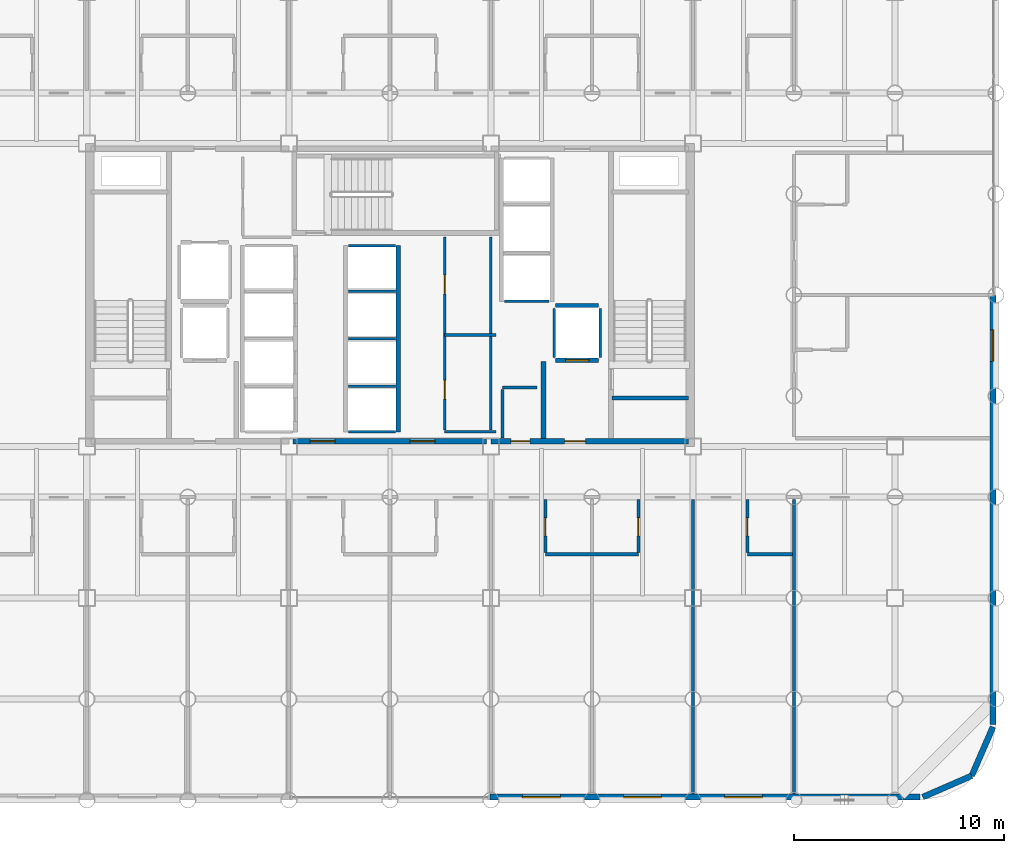
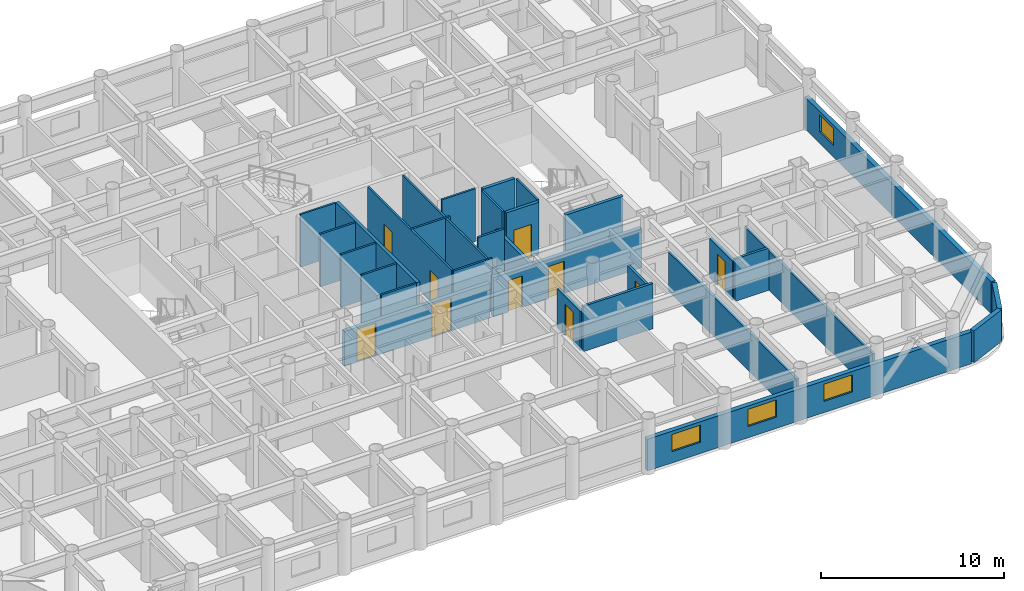
# One storey, part 18 of 22: 32 walls, 10 doors, 4 windows, 14 openings.
"""IFC4 building model written with IfcOpenShell, lengths in metres."""

from ifc_helpers import new_model, si_unit, direction, frame, frame_2d, origin, place, context, subcontext, project, spatial, rectangle, extrude, material, layer, layer_set, type_object, element, fill, save


model = new_model("IFC4")

# Units and contexts
model_context = context("Model", 3, precision=1e-05, world=origin(), true_north=direction((0.0, 1.0)))
body_context = subcontext(model_context, "Body", "Model", "MODEL_VIEW")
ifc_project = project(units=[si_unit("LENGTHUNIT", "METRE"), si_unit("AREAUNIT", "SQUARE_METRE"), si_unit("VOLUMEUNIT", "CUBIC_METRE"), si_unit("PLANEANGLEUNIT", "RADIAN"), si_unit("MASSUNIT", "GRAM", prefix="KILO")], contexts=[model_context])

# Site, building, storey
site_placement = place(None, origin())
site = spatial("IfcSite", under=ifc_project, at=site_placement, CompositionType="ELEMENT")
building_placement = place(site_placement, origin())
building = spatial("IfcBuilding", under=site, at=building_placement, Name="Kallvorn Hotel Tower", CompositionType="ELEMENT")
storey_placement = place(building_placement, frame((0.0, 0.0, 33.699951171875)))
storey = spatial("IfcBuildingStorey", under=building, at=storey_placement, Name="L06", CompositionType="ELEMENT", Elevation=33.699951171875)

# Walls
ifc_material_1 = material(Name="Fire-rated double-layer acoustic gypsum drywall EI 60")
ifc_layer_1 = layer(ifc_material_1, 0.159912109375)
ifc_layer_set_1 = layer_set([ifc_layer_1], Name="WL_DEMISE_160")
wall_type_1 = type_object("IfcWallType", Name="WL_DEMISE_160", PredefinedType="PARTITIONING", material=ifc_layer_set_1)
wall_1_placement = place(storey_placement, frame((7.389892578125, -12.320068359375, 0.0), z_axis=(0.0, 0.0, 1.0), x_axis=(1.0, 0.0, 0.0)))
element("IfcWall", 1, at=wall_1_placement, inside=storey, type_object=wall_type_1, Name="L06 Suite 611 Superior Twin Room Partition", PredefinedType="PARTITIONING", context=body_context, shape_type="SweptSolid", body=[
    extrude(rectangle(XDim=4.420166015625, YDim=0.159912109375, at=frame_2d((2.2099609375, 0.0))), origin(), (0.0, 0.0, 1.0), 3.02001953125),
])
wall_2_placement = place(storey_placement, frame((16.989990234375, -12.320068359375, 0.0), z_axis=(0.0, 0.0, 1.0), x_axis=(1.0, 0.0, 0.0)))
element("IfcWall", 2, at=wall_2_placement, inside=storey, type_object=wall_type_1, Name="L06 Suite 613 Superior Twin Room Partition", PredefinedType="PARTITIONING", context=body_context, shape_type="SweptSolid", body=[
    extrude(rectangle(XDim=2.130126953125, YDim=0.159912109375, at=frame_2d((1.06494140625, 0.0))), origin(), (0.0, 0.0, 1.0), 2.820068359375),
])

# Wall, opening, door
wall_3_placement = place(storey_placement, frame((7.389892578125, -12.235107421875, 0.0), z_axis=(0.0, 0.0, 1.0), x_axis=(0.0, 1.0, 0.0)))
wall_3 = element("IfcWall", 3, at=wall_3_placement, inside=storey, type_object=wall_type_1, Name="L06 Suite 611 Superior Twin Room Partition", PredefinedType="PARTITIONING", context=body_context, shape_type="SweptSolid", body=[
    extrude(rectangle(XDim=2.51513671875, YDim=0.159912109375, at=frame_2d((1.257568359375, 0.0))), origin(), (0.0, 0.0, 1.0), 2.6201171875),
])
opening_1_placement = place(wall_3_placement, frame((0.784912109375, 0.0, 0.0)))
opening_1 = element("IfcOpeningElement", 4, at=opening_1_placement, cuts=wall_3, Name="Opening BD-I", PredefinedType="OPENING", context=body_context, shape_type="SweptSolid", body=[
    extrude(rectangle(XDim=0.860107421875, YDim=2.10009765625, at=frame_2d((0.43017578125, 1.050048828125))), frame((0.0, 0.094970703125, 0.0), z_axis=(0.0, -1.0, 0.0), x_axis=(1.0, 0.0, 0.0)), (0.0, 0.0, 1.0), 0.18994140625),
])
ifc_material_2 = material(Name="Solid-core walnut veneer fire-rated timber door leaf", Category="wood")
door_type_1 = type_object("IfcDoorType", Name="DR_BATH_860x2100", OperationType="NOTDEFINED", PredefinedType="DOOR", material=ifc_material_2)
door_1_placement = place(opening_1_placement, origin())
door_1 = element("IfcDoor", 5, at=door_1_placement, inside=storey, type_object=door_type_1, Name="L06 Suite 611 En-Suite Bathroom Door", OperationType="SINGLE_SWING_RIGHT", OverallHeight=2.10009765625, OverallWidth=0.860107421875, PredefinedType="DOOR", context=body_context, shape_type="SweptSolid", body=[
    extrude(rectangle(XDim=0.860107421875, YDim=2.10009765625, at=frame_2d((0.43017578125, 1.050048828125))), frame((0.0, 0.02490234375, 0.0), z_axis=(0.0, -1.0, 0.0), x_axis=(1.0, 0.0, 0.0)), (0.0, 0.0, 1.0), 0.050048828125),
])
fill(opening_1, door_1)

wall_4_placement = place(storey_placement, frame((11.81005859375, -12.235107421875, 0.0), z_axis=(0.0, 0.0, 1.0), x_axis=(0.0, 1.0, 0.0)))
wall_4 = element("IfcWall", 6, at=wall_4_placement, inside=storey, type_object=wall_type_1, Name="L06 Suite 612 Superior Twin Room Partition", PredefinedType="PARTITIONING", context=body_context, shape_type="SweptSolid", body=[
    extrude(rectangle(XDim=2.51513671875, YDim=0.159912109375, at=frame_2d((1.257568359375, 0.0))), origin(), (0.0, 0.0, 1.0), 2.6201171875),
])
opening_2_placement = place(wall_4_placement, frame((0.784912109375, 0.0, 0.0)))
opening_2 = element("IfcOpeningElement", 7, at=opening_2_placement, cuts=wall_4, Name="Opening BD-I", PredefinedType="OPENING", context=body_context, shape_type="SweptSolid", body=[
    extrude(rectangle(XDim=0.860107421875, YDim=2.10009765625, at=frame_2d((0.43017578125, 1.050048828125))), frame((0.0, 0.094970703125, 0.0), z_axis=(0.0, -1.0, 0.0), x_axis=(1.0, 0.0, 0.0)), (0.0, 0.0, 1.0), 0.18994140625),
])
door_2_placement = place(opening_2_placement, origin())
door_2 = element("IfcDoor", 8, at=door_2_placement, inside=storey, type_object=door_type_1, Name="L06 Suite 612 En-Suite Bathroom Door", OperationType="SINGLE_SWING_RIGHT", OverallHeight=2.10009765625, OverallWidth=0.860107421875, PredefinedType="DOOR", context=body_context, shape_type="SweptSolid", body=[
    extrude(rectangle(XDim=0.860107421875, YDim=2.10009765625, at=frame_2d((0.43017578125, 1.050048828125))), frame((0.0, 0.02490234375, 0.0), z_axis=(0.0, -1.0, 0.0), x_axis=(1.0, 0.0, 0.0)), (0.0, 0.0, 1.0), 0.050048828125),
])
fill(opening_2, door_2)

# Wall
wall_5_placement = place(storey_placement, frame((14.39990234375, -23.7099609375, 0.0), z_axis=(0.0, 0.0, 1.0), x_axis=(0.0, 1.0, 0.0)))
element("IfcWall", 9, at=wall_5_placement, inside=storey, type_object=wall_type_1, Name="L06 Suite 612 Superior Twin Room Partition", PredefinedType="PARTITIONING", context=body_context, shape_type="SweptSolid", body=[
    extrude(rectangle(XDim=13.989990234375, YDim=0.159912109375, at=frame_2d((6.9951171875, 0.0))), origin(), (0.0, 0.0, 1.0), 2.6201171875),
])

# Wall, opening, door
wall_6_placement = place(storey_placement, frame((16.989990234375, -12.235107421875, 0.0), z_axis=(0.0, 0.0, 1.0), x_axis=(0.0, 1.0, 0.0)))
wall_6 = element("IfcWall", 10, at=wall_6_placement, inside=storey, type_object=wall_type_1, Name="L06 Suite 613 Superior Twin Room Partition", PredefinedType="PARTITIONING", context=body_context, shape_type="SweptSolid", body=[
    extrude(rectangle(XDim=2.51513671875, YDim=0.159912109375, at=frame_2d((1.257568359375, 0.0))), origin(), (0.0, 0.0, 1.0), 2.6201171875),
])
opening_3_placement = place(wall_6_placement, frame((0.784912109375, 0.0, 0.0)))
opening_3 = element("IfcOpeningElement", 11, at=opening_3_placement, cuts=wall_6, Name="Opening BD-I", PredefinedType="OPENING", context=body_context, shape_type="SweptSolid", body=[
    extrude(rectangle(XDim=0.860107421875, YDim=2.10009765625, at=frame_2d((0.43017578125, 1.050048828125))), frame((0.0, 0.094970703125, 0.0), z_axis=(0.0, -1.0, 0.0), x_axis=(1.0, 0.0, 0.0)), (0.0, 0.0, 1.0), 0.18994140625),
])
door_3_placement = place(opening_3_placement, origin())
door_3 = element("IfcDoor", 12, at=door_3_placement, inside=storey, type_object=door_type_1, Name="L06 Suite 613 En-Suite Bathroom Door", OperationType="SINGLE_SWING_RIGHT", OverallHeight=2.10009765625, OverallWidth=0.860107421875, PredefinedType="DOOR", context=body_context, shape_type="SweptSolid", body=[
    extrude(rectangle(XDim=0.860107421875, YDim=2.10009765625, at=frame_2d((0.43017578125, 1.050048828125))), frame((0.0, 0.02490234375, 0.0), z_axis=(0.0, -1.0, 0.0), x_axis=(1.0, 0.0, 0.0)), (0.0, 0.0, 1.0), 0.050048828125),
])
fill(opening_3, door_3)

# Walls
wall_7_placement = place(storey_placement, frame((19.199951171875, -23.7099609375, 0.0), z_axis=(0.0, 0.0, 1.0), x_axis=(0.0, 1.0, 0.0)))
element("IfcWall", 13, at=wall_7_placement, inside=storey, type_object=wall_type_1, Name="L06 Suite 613 Superior Twin Room Partition", PredefinedType="PARTITIONING", context=body_context, shape_type="SweptSolid", body=[
    extrude(rectangle(XDim=13.989990234375, YDim=0.159912109375, at=frame_2d((6.9951171875, 0.0))), origin(), (0.0, 0.0, 1.0), 2.6201171875),
])
ifc_material_3 = material(Name="Precast basalt-clad insulated concrete wall C40/50", Category="masonry")
ifc_layer_2 = layer(ifc_material_3, 0.280029296875)
ifc_layer_set_2 = layer_set([ifc_layer_2], Name="WL_EXT_LOGGIA_280")
wall_type_2 = type_object("IfcWallType", Name="WL_EXT_LOGGIA_280", PredefinedType="SOLIDWALL", material=ifc_layer_set_2)
wall_8_placement = place(storey_placement, frame((25.32080078125, -23.85791015625, 0.0), z_axis=(0.0, 0.0, 1.0), x_axis=(0.917060872934, 0.398747232384, 0.0)))
element("IfcWall", 14, at=wall_8_placement, inside=storey, type_object=wall_type_2, Name="L06 Rounded Corner Exterior Wall SE1", PredefinedType="SOLIDWALL", context=body_context, shape_type="SweptSolid", body=[
    extrude(rectangle(XDim=2.5361328125, YDim=0.280029296875, at=frame_2d((1.26806640625, 0.0))), origin(), (0.0, 0.0, 1.0), 2.1201171875),
])
wall_9_placement = place(storey_placement, frame((27.646484375, -22.8466796875, 0.0), z_axis=(0.0, 0.0, 1.0), x_axis=(0.398792985289, 0.917040977756, 0.0)))
element("IfcWall", 15, at=wall_9_placement, inside=storey, type_object=wall_type_2, Name="L06 Rounded Corner Exterior Wall SE2", PredefinedType="SOLIDWALL", context=body_context, shape_type="SweptSolid", body=[
    extrude(rectangle(XDim=2.536376953125, YDim=0.280029296875, at=frame_2d((1.26806640625, 0.0))), origin(), (0.0, 0.0, 1.0), 2.1201171875),
])

# Wall, openings, windows
wall_10_placement = place(storey_placement, frame((4.75, -23.860107421875, 0.0), z_axis=(0.0, 0.0, 1.0), x_axis=(1.0, 0.0, 0.0)))
wall_10 = element("IfcWall", 16, at=wall_10_placement, inside=storey, type_object=wall_type_2, Name="L06 Exterior Envelope Wall EW-L06-SE", PredefinedType="SOLIDWALL", context=body_context, shape_type="SweptSolid", body=[
    extrude(rectangle(XDim=20.449951171875, YDim=0.280029296875, at=frame_2d((10.22509765625, 0.0))), origin(), (0.0, 0.0, 1.0), 2.1201171875),
])
opening_4_placement = place(wall_10_placement, frame((1.550048828125, 0.0, 0.75)))
opening_4 = element("IfcOpeningElement", 17, at=opening_4_placement, cuts=wall_10, Name="Opening W04A", PredefinedType="OPENING", context=body_context, shape_type="SweptSolid", body=[
    extrude(rectangle(XDim=1.800048828125, YDim=1.14990234375, at=frame_2d((0.89990234375, 0.574951171875))), frame((0.0, 0.155029296875, 0.0), z_axis=(0.0, -1.0, 0.0), x_axis=(1.0, 0.0, 0.0)), (0.0, 0.0, 1.0), 0.31005859375),
])
opening_5_placement = place(wall_10_placement, frame((6.35009765625, 0.0, 0.75)))
opening_5 = element("IfcOpeningElement", 18, at=opening_5_placement, cuts=wall_10, Name="Opening W04A", PredefinedType="OPENING", context=body_context, shape_type="SweptSolid", body=[
    extrude(rectangle(XDim=1.800048828125, YDim=1.14990234375, at=frame_2d((0.89990234375, 0.574951171875))), frame((0.0, 0.155029296875, 0.0), z_axis=(0.0, -1.0, 0.0), x_axis=(1.0, 0.0, 0.0)), (0.0, 0.0, 1.0), 0.31005859375),
])
opening_6_placement = place(wall_10_placement, frame((11.14990234375, 0.0, 0.75)))
opening_6 = element("IfcOpeningElement", 19, at=opening_6_placement, cuts=wall_10, Name="Opening W04A", PredefinedType="OPENING", context=body_context, shape_type="SweptSolid", body=[
    extrude(rectangle(XDim=1.800048828125, YDim=1.14990234375, at=frame_2d((0.89990234375, 0.574951171875))), frame((0.0, 0.155029296875, 0.0), z_axis=(0.0, -1.0, 0.0), x_axis=(1.0, 0.0, 0.0)), (0.0, 0.0, 1.0), 0.31005859375),
])
ifc_material_4 = material(Name="Double-glazed low-e solar-control dark glass", Category="glass")
window_type_1 = type_object("IfcWindowType", Name="WN_HTL_1800x1150", PartitioningType="SINGLE_PANEL", PredefinedType="WINDOW", material=ifc_material_4)
window_1_placement = place(opening_4_placement, origin())
window_1 = element("IfcWindow", 20, at=window_1_placement, inside=storey, type_object=window_type_1, Name="L06 Guestroom Exterior Window 07", OverallHeight=1.14990234375, OverallWidth=1.800048828125, PartitioningType="SINGLE_PANEL", PredefinedType="WINDOW", context=body_context, shape_type="SweptSolid", body=[
    extrude(rectangle(XDim=1.800048828125, YDim=1.14990234375, at=frame_2d((0.89990234375, 0.574951171875))), frame((0.0, 0.030029296875, 0.0), z_axis=(0.0, -1.0, 0.0), x_axis=(1.0, 0.0, 0.0)), (0.0, 0.0, 1.0), 0.06005859375),
])
fill(opening_4, window_1)
window_2_placement = place(opening_5_placement, origin())
window_2 = element("IfcWindow", 21, at=window_2_placement, inside=storey, type_object=window_type_1, Name="L06 Guestroom Exterior Window 08", OverallHeight=1.14990234375, OverallWidth=1.800048828125, PartitioningType="SINGLE_PANEL", PredefinedType="WINDOW", context=body_context, shape_type="SweptSolid", body=[
    extrude(rectangle(XDim=1.800048828125, YDim=1.14990234375, at=frame_2d((0.89990234375, 0.574951171875))), frame((0.0, 0.030029296875, 0.0), z_axis=(0.0, -1.0, 0.0), x_axis=(1.0, 0.0, 0.0)), (0.0, 0.0, 1.0), 0.06005859375),
])
fill(opening_5, window_2)
window_3_placement = place(opening_6_placement, origin())
window_3 = element("IfcWindow", 22, at=window_3_placement, inside=storey, type_object=window_type_1, Name="L06 Guestroom Exterior Window 09", OverallHeight=1.14990234375, OverallWidth=1.800048828125, PartitioningType="SINGLE_PANEL", PredefinedType="WINDOW", context=body_context, shape_type="SweptSolid", body=[
    extrude(rectangle(XDim=1.800048828125, YDim=1.14990234375, at=frame_2d((0.89990234375, 0.574951171875))), frame((0.0, 0.030029296875, 0.0), z_axis=(0.0, -1.0, 0.0), x_axis=(1.0, 0.0, 0.0)), (0.0, 0.0, 1.0), 0.06005859375),
])
fill(opening_6, window_3)

# Wall, opening, window
wall_11_placement = place(storey_placement, frame((28.659912109375, -20.39990234375, 0.0), z_axis=(0.0, 0.0, 1.0), x_axis=(0.0, 1.0, 0.0)))
wall_11 = element("IfcWall", 23, at=wall_11_placement, inside=storey, type_object=wall_type_2, Name="L06 Exterior Envelope Wall EW-L06-ES", PredefinedType="SOLIDWALL", context=body_context, shape_type="SweptSolid", body=[
    extrude(rectangle(XDim=20.3798828125, YDim=0.280029296875, at=frame_2d((10.18994140625, 0.0))), origin(), (0.0, 0.0, 1.0), 2.1201171875),
])
opening_7_placement = place(wall_11_placement, frame((17.25, 0.0, 0.75)))
opening_7 = element("IfcOpeningElement", 24, at=opening_7_placement, cuts=wall_11, Name="Opening W05A", PredefinedType="OPENING", context=body_context, shape_type="SweptSolid", body=[
    extrude(rectangle(XDim=1.5, YDim=1.14990234375, at=frame_2d((0.75, 0.574951171875))), frame((0.0, 0.155029296875, 0.0), z_axis=(0.0, -1.0, 0.0), x_axis=(1.0, 0.0, 0.0)), (0.0, 0.0, 1.0), 0.31005859375),
])
ifc_material_5 = material(Name="Double-glazed low-e solar-control dark glass", Category="glass")
window_type_2 = type_object("IfcWindowType", Name="WN_HTL_1500x1150", PartitioningType="SINGLE_PANEL", PredefinedType="WINDOW", material=ifc_material_5)
window_4_placement = place(opening_7_placement, origin())
window_4 = element("IfcWindow", 25, at=window_4_placement, inside=storey, type_object=window_type_2, Name="L06 Flank Wing Window 02", OverallHeight=1.14990234375, OverallWidth=1.5, PartitioningType="SINGLE_PANEL", PredefinedType="WINDOW", context=body_context, shape_type="SweptSolid", body=[
    extrude(rectangle(XDim=1.5, YDim=1.14990234375, at=frame_2d((0.75, 0.574951171875))), frame((0.0, 0.030029296875, 0.0), z_axis=(0.0, -1.0, 0.0), x_axis=(1.0, 0.0, 0.0)), (0.0, 0.0, 1.0), 0.06005859375),
])
fill(opening_7, window_4)

# Walls
ifc_material_6 = material(Name="Concrete C40/50", Category="concrete")
ifc_layer_3 = layer(ifc_material_6, 0.219970703125)
ifc_layer_set_3 = layer_set([ifc_layer_3], Name="WL_FFL_220")
wall_type_3 = type_object("IfcWallType", Name="WL_FFL_220", PredefinedType="SOLIDWALL", material=ifc_layer_set_3)
wall_12_placement = place(storey_placement, frame((7.300048828125, -6.820068359375, 0.0), z_axis=(0.0, 0.0, 1.0), x_axis=(0.0, 1.0, 0.0)))
element("IfcWall", 26, at=wall_12_placement, inside=storey, type_object=wall_type_3, Name="L06 Firefighting Lobby East Divider Wall", PredefinedType="SOLIDWALL", context=body_context, shape_type="SweptSolid", body=[
    extrude(rectangle(XDim=3.670166015625, YDim=0.219970703125, at=frame_2d((1.8349609375, 0.0))), origin(), (0.0, 0.0, 1.0), 2.6201171875),
])
ifc_material_7 = material(Name="Concrete C40/50", Category="concrete")
ifc_layer_4 = layer(ifc_material_7, 0.199951171875)
ifc_layer_set_4 = layer_set([ifc_layer_4], Name="WL_HOIST_200")
wall_type_4 = type_object("IfcWallType", Name="WL_HOIST_200", PredefinedType="SOLIDWALL", material=ifc_layer_set_4)
wall_13_placement = place(storey_placement, frame((10.550048828125, -4.89990234375, -0.179931640625), z_axis=(0.0, 0.0, 1.0), x_axis=(1.0, 0.0, 0.0)))
element("IfcWall", 27, at=wall_13_placement, inside=storey, type_object=wall_type_4, Name="L06 Stair ST2 South Wall", PredefinedType="SOLIDWALL", context=body_context, shape_type="SweptSolid", body=[
    extrude(rectangle(XDim=3.64990234375, YDim=0.199951171875, at=frame_2d((1.824951171875, 0.0))), origin(), (0.0, 0.0, 1.0), 3.699951171875),
])
wall_14_placement = place(storey_placement, frame((0.39990234375, -6.5, 0.0), z_axis=(0.0, 0.0, 1.0), x_axis=(0.0, 1.0, 0.0)))
element("IfcWall", 28, at=wall_14_placement, inside=storey, type_object=wall_type_4, Name="L06 Lift Bank B2 Rear Shaft Wall", PredefinedType="SOLIDWALL", context=body_context, shape_type="SweptSolid", body=[
    extrude(rectangle(XDim=8.85009765625, YDim=0.199951171875, at=frame_2d((4.425048828125, 0.0))), origin(), (0.0, 0.0, 1.0), 3.52001953125),
])

# Wall, opening, door
wall_15_placement = place(storey_placement, frame((7.8798828125, -3.10009765625, 0.0), z_axis=(0.0, 0.0, 1.0), x_axis=(1.0, 0.0, 0.0)))
wall_15 = element("IfcWall", 29, at=wall_15_placement, inside=storey, type_object=wall_type_4, Name="L06 FL-2 Landing Wall", PredefinedType="SOLIDWALL", context=body_context, shape_type="SweptSolid", body=[
    extrude(rectangle(XDim=2.0400390625, YDim=0.199951171875, at=frame_2d((1.02001953125, 0.0))), origin(), (0.0, 0.0, 1.0), 3.52001953125),
])
opening_8_placement = place(wall_15_placement, frame((0.469970703125, 0.0, 0.0)))
opening_8 = element("IfcOpeningElement", 30, at=opening_8_placement, cuts=wall_15, Name="Opening LD-FL-2", PredefinedType="OPENING", context=body_context, shape_type="SweptSolid", body=[
    extrude(rectangle(XDim=1.10009765625, YDim=2.199951171875, at=frame_2d((0.550048828125, 1.10009765625))), frame((0.0, 0.114990234375, 0.0), z_axis=(0.0, -1.0, 0.0), x_axis=(1.0, 0.0, 0.0)), (0.0, 0.0, 1.0), 0.22998046875),
])
ifc_material_8 = material(Name="Brushed stainless-steel automatic sliding lift landing door", Category="steel")
door_type_2 = type_object("IfcDoorType", Name="LD_PASS_1100x2200", OperationType="SLIDING_TO_LEFT", PredefinedType="DOOR", material=ifc_material_8)
door_4_placement = place(opening_8_placement, origin())
door_4 = element("IfcDoor", 31, at=door_4_placement, inside=storey, type_object=door_type_2, Name="L06 Lift Landing Sliding Door LD-FL-2", OperationType="SLIDING_TO_LEFT", OverallHeight=2.199951171875, OverallWidth=1.10009765625, PredefinedType="DOOR", context=body_context, shape_type="SweptSolid", body=[
    extrude(rectangle(XDim=1.10009765625, YDim=2.199951171875, at=frame_2d((0.550048828125, 1.10009765625))), frame((0.0, 0.02490234375, 0.0), z_axis=(0.0, -1.0, 0.0), x_axis=(1.0, 0.0, 0.0)), (0.0, 0.0, 1.0), 0.050048828125),
])
fill(opening_8, door_4)

# Walls
wall_16_placement = place(storey_placement, frame((7.8798828125, -0.5, 0.0), z_axis=(0.0, 0.0, 1.0), x_axis=(1.0, 0.0, 0.0)))
element("IfcWall", 32, at=wall_16_placement, inside=storey, type_object=wall_type_4, Name="L06 FL-2 Rear Shaft Wall", PredefinedType="SOLIDWALL", context=body_context, shape_type="SweptSolid", body=[
    extrude(rectangle(XDim=2.0400390625, YDim=0.199951171875, at=frame_2d((1.02001953125, 0.0))), origin(), (0.0, 0.0, 1.0), 3.52001953125),
])
ifc_material_9 = material(Name="Fire-rated double-layer acoustic gypsum drywall EI 60")
ifc_layer_5 = layer(ifc_material_9, 0.1201171875)
ifc_layer_set_5 = layer_set([ifc_layer_5], Name="WL_INT_120")
wall_type_5 = type_object("IfcWallType", Name="WL_INT_120", PredefinedType="PARTITIONING", material=ifc_layer_set_5)
for number, where, z_axis, x_axis, name in (
    (33, (-1.9599609375, -6.5, 0.0), (0.0, 0.0, 1.0), (1.0, 0.0, 0.0), "L06 Lift Bank B2 South Closure Wall"),
    (34, (-1.9599609375, -4.324951171875, 0.0), (0.0, 0.0, 1.0), (1.0, 0.0, 0.0), "L06 PL-05 Hoistway Divider"),
    (35, (-1.9599609375, -2.074951171875, 0.0), (0.0, 0.0, 1.0), (1.0, 0.0, 0.0), "L06 PL-06 Hoistway Divider"),
    (36, (-1.9599609375, 0.175048828125, 0.0), (0.0, 0.0, 1.0), (1.0, 0.0, 0.0), "L06 PL-07 Hoistway Divider"),
    (37, (-1.9599609375, 2.35009765625, 0.0), (0.0, 0.0, 1.0), (1.0, 0.0, 0.0), "L06 PL-08 Hoistway Divider"),
):
    element("IfcWall", number, at=place(storey_placement, frame(where, z_axis=z_axis, x_axis=x_axis)), inside=storey, type_object=wall_type_5, Name=name, PredefinedType="PARTITIONING", context=body_context, shape_type="SweptSolid", body=[
        extrude(rectangle(XDim=2.219970703125, YDim=0.1201171875, at=frame_2d((1.10986328125, 0.0))), origin(), (0.0, 0.0, 1.0), 3.52001953125),
    ])
wall_17_placement = place(storey_placement, frame((5.43994140625, -0.300048828125, 0.0), z_axis=(0.0, 0.0, 1.0), x_axis=(1.0, 0.0, 0.0)))
element("IfcWall", 38, at=wall_17_placement, inside=storey, type_object=wall_type_5, Name="L06 Lift Bank OBS South Closure Wall", PredefinedType="PARTITIONING", context=body_context, shape_type="SweptSolid", body=[
    extrude(rectangle(XDim=2.1201171875, YDim=0.1201171875, at=frame_2d((1.06005859375, 0.0))), origin(), (0.0, 0.0, 1.0), 3.52001953125),
])
for number, where, z_axis, x_axis, name in (
    (39, (7.800048828125, -2.9599609375, 0.0), (0.0, 0.0, 1.0), (0.0, 1.0, 0.0), "L06 FL-2 West Shaft Wall"),
    (40, (10.0, -2.9599609375, 0.0), (0.0, 0.0, 1.0), (0.0, 1.0, 0.0), "L06 FL-2 East Shaft Wall"),
):
    element("IfcWall", number, at=place(storey_placement, frame(where, z_axis=z_axis, x_axis=x_axis)), inside=storey, type_object=wall_type_5, Name=name, PredefinedType="PARTITIONING", context=body_context, shape_type="SweptSolid", body=[
        extrude(rectangle(XDim=2.320068359375, YDim=0.1201171875, at=frame_2d((1.16015625, 0.0))), origin(), (0.0, 0.0, 1.0), 3.52001953125),
    ])
for number, where, z_axis, x_axis, name in (
    (41, (2.60009765625, -6.5, 0.0), (0.0, 0.0, 1.0), (1.0, 0.0, 0.0), "L06 East Core Amenities and Minibar Store Partition"),
    (42, (2.60009765625, -1.89990234375, 0.0), (0.0, 0.0, 1.0), (1.0, 0.0, 0.0), "L06 East Core Amenities and Minibar Store Partition"),
):
    element("IfcWall", number, at=place(storey_placement, frame(where, z_axis=z_axis, x_axis=x_axis)), inside=storey, type_object=wall_type_5, Name=name, PredefinedType="PARTITIONING", context=body_context, shape_type="SweptSolid", body=[
        extrude(rectangle(XDim=2.449951171875, YDim=0.1201171875, at=frame_2d((1.22509765625, 0.0))), origin(), (0.0, 0.0, 1.0), 3.52001953125),
    ])

# Wall, openings, doors
wall_18_placement = place(storey_placement, frame((2.60009765625, -6.4150390625, 0.0), z_axis=(0.0, 0.0, 1.0), x_axis=(0.0, 1.0, 0.0)))
wall_18 = element("IfcWall", 43, at=wall_18_placement, inside=storey, type_object=wall_type_5, Name="L06 East Core Amenities and Minibar Store Partition", PredefinedType="PARTITIONING", context=body_context, shape_type="SweptSolid", body=[
    extrude(rectangle(XDim=9.1650390625, YDim=0.1201171875, at=frame_2d((4.58251953125, 0.0))), origin(), (0.0, 0.0, 1.0), 3.52001953125),
])
opening_9_placement = place(wall_18_placement, frame((1.465087890625, 0.0, 0.0)))
opening_9 = element("IfcOpeningElement", 44, at=opening_9_placement, cuts=wall_18, Name="Opening SVD1", PredefinedType="OPENING", context=body_context, shape_type="SweptSolid", body=[
    extrude(rectangle(XDim=0.89990234375, YDim=2.10009765625, at=frame_2d((0.449951171875, 1.050048828125))), frame((0.0, 0.074951171875, 0.0), z_axis=(0.0, -1.0, 0.0), x_axis=(1.0, 0.0, 0.0)), (0.0, 0.0, 1.0), 0.150146484375),
])
opening_10_placement = place(wall_18_placement, frame((6.465087890625, 0.0, 0.0)))
opening_10 = element("IfcOpeningElement", 45, at=opening_10_placement, cuts=wall_18, Name="Opening SVD1", PredefinedType="OPENING", context=body_context, shape_type="SweptSolid", body=[
    extrude(rectangle(XDim=0.89990234375, YDim=2.10009765625, at=frame_2d((0.449951171875, 1.050048828125))), frame((0.0, 0.074951171875, 0.0), z_axis=(0.0, -1.0, 0.0), x_axis=(1.0, 0.0, 0.0)), (0.0, 0.0, 1.0), 0.150146484375),
])
ifc_material_10 = material(Name="Galvanised painted steel fire-rated door assembly", Category="steel")
door_type_3 = type_object("IfcDoorType", Name="DR_SERV_900x2100", OperationType="NOTDEFINED", PredefinedType="DOOR", material=ifc_material_10)
door_5_placement = place(opening_9_placement, origin())
door_5 = element("IfcDoor", 46, at=door_5_placement, inside=storey, type_object=door_type_3, Name="L06 East Core Amenities and Minibar Store Door", OperationType="SINGLE_SWING_LEFT", OverallHeight=2.10009765625, OverallWidth=0.89990234375, PredefinedType="DOOR", context=body_context, shape_type="SweptSolid", body=[
    extrude(rectangle(XDim=0.89990234375, YDim=2.10009765625, at=frame_2d((0.449951171875, 1.050048828125))), frame((0.0, 0.02490234375, 0.0), z_axis=(0.0, -1.0, 0.0), x_axis=(1.0, 0.0, 0.0)), (0.0, 0.0, 1.0), 0.050048828125),
])
fill(opening_9, door_5)
door_6_placement = place(opening_10_placement, origin())
door_6 = element("IfcDoor", 47, at=door_6_placement, inside=storey, type_object=door_type_3, Name="L06 East Core Cleaners and Janitor Room Door", OperationType="SINGLE_SWING_RIGHT", OverallHeight=2.10009765625, OverallWidth=0.89990234375, PredefinedType="DOOR", context=body_context, shape_type="SweptSolid", body=[
    extrude(rectangle(XDim=0.89990234375, YDim=2.10009765625, at=frame_2d((0.449951171875, 1.050048828125))), frame((0.0, 0.02490234375, 0.0), z_axis=(0.0, -1.0, 0.0), x_axis=(1.0, 0.0, 0.0)), (0.0, 0.0, 1.0), 0.050048828125),
])
fill(opening_10, door_6)

# Walls
wall_19_placement = place(storey_placement, frame((4.800048828125, -6.4150390625, 0.0), z_axis=(0.0, 0.0, 1.0), x_axis=(0.0, 1.0, 0.0)))
element("IfcWall", 48, at=wall_19_placement, inside=storey, type_object=wall_type_5, Name="L06 East Core Amenities and Minibar Store Partition", PredefinedType="PARTITIONING", context=body_context, shape_type="SweptSolid", body=[
    extrude(rectangle(XDim=9.1650390625, YDim=0.1201171875, at=frame_2d((4.58251953125, 0.0))), origin(), (0.0, 0.0, 1.0), 3.52001953125),
])
ifc_material_11 = material(Name="Moisture-resistant acoustic plumbing chase wall EI 60")
ifc_layer_6 = layer(ifc_material_11, 0.139892578125)
ifc_layer_set_6 = layer_set([ifc_layer_6], Name="WL_PLUMB_140")
wall_type_6 = type_object("IfcWallType", Name="WL_PLUMB_140", PredefinedType="PLUMBINGWALL", material=ifc_layer_set_6)
wall_20_placement = place(storey_placement, frame((5.35009765625, -4.39990234375, 0.0), z_axis=(0.0, 0.0, 1.0), x_axis=(1.0, 0.0, 0.0)))
element("IfcWall", 49, at=wall_20_placement, inside=storey, type_object=wall_type_6, Name="L06 Core Staff Restroom WC Partition", PredefinedType="PLUMBINGWALL", context=body_context, shape_type="SweptSolid", body=[
    extrude(rectangle(XDim=1.64990234375, YDim=0.139892578125, at=frame_2d((0.824951171875, 0.0))), origin(), (0.0, 0.0, 1.0), 3.52001953125),
])
wall_21_placement = place(storey_placement, frame((5.35009765625, -6.800048828125, 0.0), z_axis=(0.0, 0.0, 1.0), x_axis=(0.0, 1.0, 0.0)))
element("IfcWall", 50, at=wall_21_placement, inside=storey, type_object=wall_type_6, Name="L06 Core Staff Restroom WC Partition", PredefinedType="PLUMBINGWALL", context=body_context, shape_type="SweptSolid", body=[
    extrude(rectangle(XDim=2.31494140625, YDim=0.139892578125, at=frame_2d((1.157470703125, 0.0))), origin(), (0.0, 0.0, 1.0), 2.6201171875),
])

# Wall, openings, doors
ifc_material_12 = material(Name="Concrete C40/50", Category="concrete")
ifc_layer_7 = layer(ifc_material_12, 0.25)
ifc_layer_set_7 = layer_set([ifc_layer_7], Name="WL_SHAFT_250")
wall_type_7 = type_object("IfcWallType", Name="WL_SHAFT_250", PredefinedType="SOLIDWALL", material=ifc_layer_set_7)
wall_22_placement = place(storey_placement, frame((-4.60009765625, -6.949951171875, 0.0), z_axis=(0.0, 0.0, 1.0), x_axis=(1.0, 0.0, 0.0)))
wall_22 = element("IfcWall", 51, at=wall_22_placement, inside=storey, type_object=wall_type_7, Name="L06 Core South-Central Wall", PredefinedType="SOLIDWALL", context=body_context, shape_type="SweptSolid", body=[
    extrude(rectangle(XDim=9.2001953125, YDim=0.25, at=frame_2d((4.60009765625, 0.0))), origin(), (0.0, 0.0, 1.0), 2.320068359375),
])
opening_11_placement = place(wall_22_placement, frame((0.800048828125, 0.0, 0.0)))
opening_11 = element("IfcOpeningElement", 52, at=opening_11_placement, cuts=wall_22, Name="Opening FD2", PredefinedType="OPENING", context=body_context, shape_type="SweptSolid", body=[
    extrude(rectangle(XDim=1.199951171875, YDim=2.199951171875, at=frame_2d((0.60009765625, 1.10009765625))), frame((0.0, 0.139892578125, 0.0), z_axis=(0.0, -1.0, 0.0), x_axis=(1.0, 0.0, 0.0)), (0.0, 0.0, 1.0), 0.280029296875),
])
opening_12_placement = place(wall_22_placement, frame((5.550048828125, 0.0, 0.0)))
opening_12 = element("IfcOpeningElement", 53, at=opening_12_placement, cuts=wall_22, Name="Opening FD2", PredefinedType="OPENING", context=body_context, shape_type="SweptSolid", body=[
    extrude(rectangle(XDim=1.199951171875, YDim=2.199951171875, at=frame_2d((0.60009765625, 1.10009765625))), frame((0.0, 0.139892578125, 0.0), z_axis=(0.0, -1.0, 0.0), x_axis=(1.0, 0.0, 0.0)), (0.0, 0.0, 1.0), 0.280029296875),
])
ifc_material_13 = material(Name="Galvanised painted steel fire-rated door assembly", Category="steel")
door_type_4 = type_object("IfcDoorType", Name="DR_LOBBY_1200x2200", OperationType="DOUBLE_DOOR_SINGLE_SWING", PredefinedType="DOOR", material=ifc_material_13)
door_7_placement = place(opening_11_placement, origin())
door_7 = element("IfcDoor", 54, at=door_7_placement, inside=storey, type_object=door_type_4, Name="L06 West Passenger Lift Lobby Door", OperationType="DOUBLE_DOOR_SINGLE_SWING", OverallHeight=2.199951171875, OverallWidth=1.199951171875, PredefinedType="DOOR", context=body_context, shape_type="SweptSolid", body=[
    extrude(rectangle(XDim=1.199951171875, YDim=2.199951171875, at=frame_2d((0.60009765625, 1.10009765625))), frame((0.0, 0.02490234375, 0.0), z_axis=(0.0, -1.0, 0.0), x_axis=(1.0, 0.0, 0.0)), (0.0, 0.0, 1.0), 0.050048828125),
])
fill(opening_11, door_7)
door_8_placement = place(opening_12_placement, origin())
door_8 = element("IfcDoor", 55, at=door_8_placement, inside=storey, type_object=door_type_4, Name="L06 East Passenger Lift Lobby Door", OperationType="DOUBLE_DOOR_SINGLE_SWING", OverallHeight=2.199951171875, OverallWidth=1.199951171875, PredefinedType="DOOR", context=body_context, shape_type="SweptSolid", body=[
    extrude(rectangle(XDim=1.199951171875, YDim=2.199951171875, at=frame_2d((0.60009765625, 1.10009765625))), frame((0.0, 0.02490234375, 0.0), z_axis=(0.0, -1.0, 0.0), x_axis=(1.0, 0.0, 0.0)), (0.0, 0.0, 1.0), 0.050048828125),
])
fill(opening_12, door_8)

wall_23_placement = place(storey_placement, frame((4.800048828125, -6.949951171875, 0.0), z_axis=(0.0, 0.0, 1.0), x_axis=(1.0, 0.0, 0.0)))
wall_23 = element("IfcWall", 56, at=wall_23_placement, inside=storey, type_object=wall_type_7, Name="L06 Core South-East Wall", PredefinedType="SOLIDWALL", context=body_context, shape_type="SweptSolid", body=[
    extrude(rectangle(XDim=9.39990234375, YDim=0.25, at=frame_2d((4.699951171875, 0.0))), origin(), (0.0, 0.0, 1.0), 2.6201171875),
])
opening_13_placement = place(wall_23_placement, frame((3.5, 0.0, 0.0)))
opening_13 = element("IfcOpeningElement", 57, at=opening_13_placement, cuts=wall_23, Name="Opening FD1", PredefinedType="OPENING", context=body_context, shape_type="SweptSolid", body=[
    extrude(rectangle(XDim=1.0, YDim=2.14990234375, at=frame_2d((0.5, 1.074951171875))), frame((0.0, 0.139892578125, 0.0), z_axis=(0.0, -1.0, 0.0), x_axis=(1.0, 0.0, 0.0)), (0.0, 0.0, 1.0), 0.280029296875),
])
opening_14_placement = place(wall_23_placement, frame((0.949951171875, 0.0, 0.0)))
opening_14 = element("IfcOpeningElement", 58, at=opening_14_placement, cuts=wall_23, Name="Opening SVD1", PredefinedType="OPENING", context=body_context, shape_type="SweptSolid", body=[
    extrude(rectangle(XDim=0.89990234375, YDim=2.10009765625, at=frame_2d((0.449951171875, 1.050048828125))), frame((0.0, 0.139892578125, 0.0), z_axis=(0.0, -1.0, 0.0), x_axis=(1.0, 0.0, 0.0)), (0.0, 0.0, 1.0), 0.280029296875),
])
ifc_material_14 = material(Name="Galvanised painted steel fire-rated door assembly", Category="steel")
door_type_5 = type_object("IfcDoorType", Name="DR_FFL_1000x2150", OperationType="NOTDEFINED", PredefinedType="DOOR", material=ifc_material_14)
door_9_placement = place(opening_13_placement, origin())
door_9 = element("IfcDoor", 59, at=door_9_placement, inside=storey, type_object=door_type_5, Name="L06 Firefighting Lobby East Door", OperationType="SINGLE_SWING_LEFT", OverallHeight=2.14990234375, OverallWidth=1.0, PredefinedType="DOOR", context=body_context, shape_type="SweptSolid", body=[
    extrude(rectangle(XDim=1.0, YDim=2.14990234375, at=frame_2d((0.5, 1.074951171875))), frame((0.0, 0.02490234375, 0.0), z_axis=(0.0, -1.0, 0.0), x_axis=(1.0, 0.0, 0.0)), (0.0, 0.0, 1.0), 0.050048828125),
])
fill(opening_13, door_9)
door_10_placement = place(opening_14_placement, origin())
door_10 = element("IfcDoor", 60, at=door_10_placement, inside=storey, type_object=door_type_3, Name="L06 Core Staff Restroom WC Door", OperationType="SINGLE_SWING_LEFT", OverallHeight=2.10009765625, OverallWidth=0.89990234375, PredefinedType="DOOR", context=body_context, shape_type="SweptSolid", body=[
    extrude(rectangle(XDim=0.89990234375, YDim=2.10009765625, at=frame_2d((0.449951171875, 1.050048828125))), frame((0.0, 0.02490234375, 0.0), z_axis=(0.0, -1.0, 0.0), x_axis=(1.0, 0.0, 0.0)), (0.0, 0.0, 1.0), 0.050048828125),
])
fill(opening_14, door_10)

save(model, "model.ifc")
